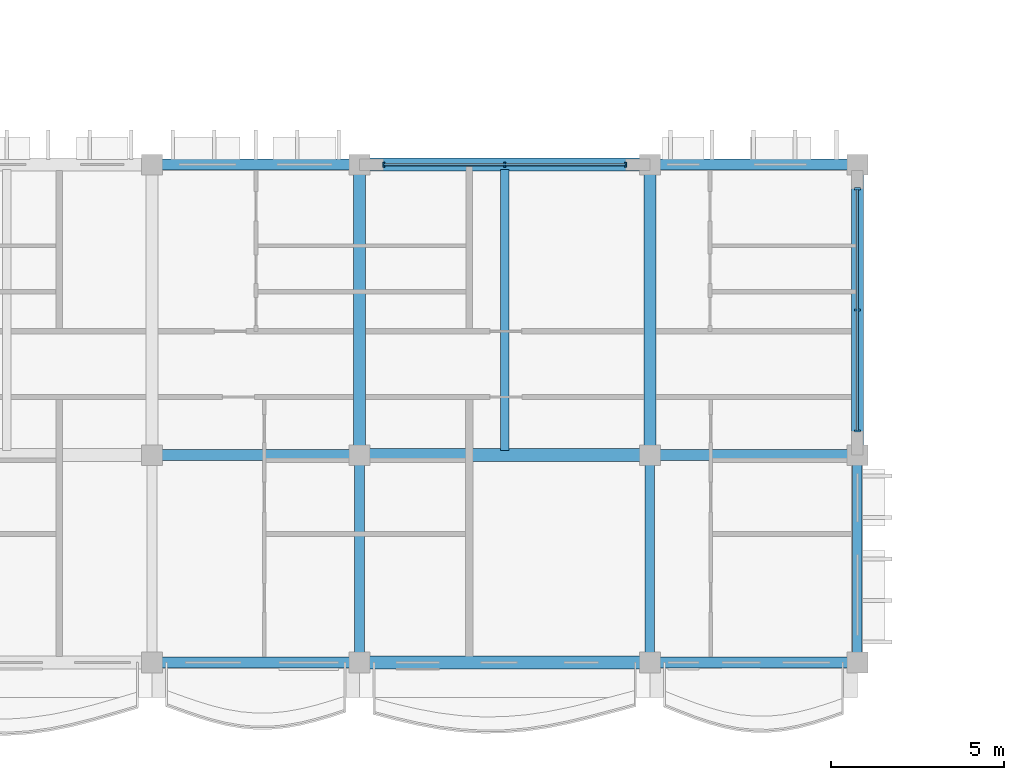
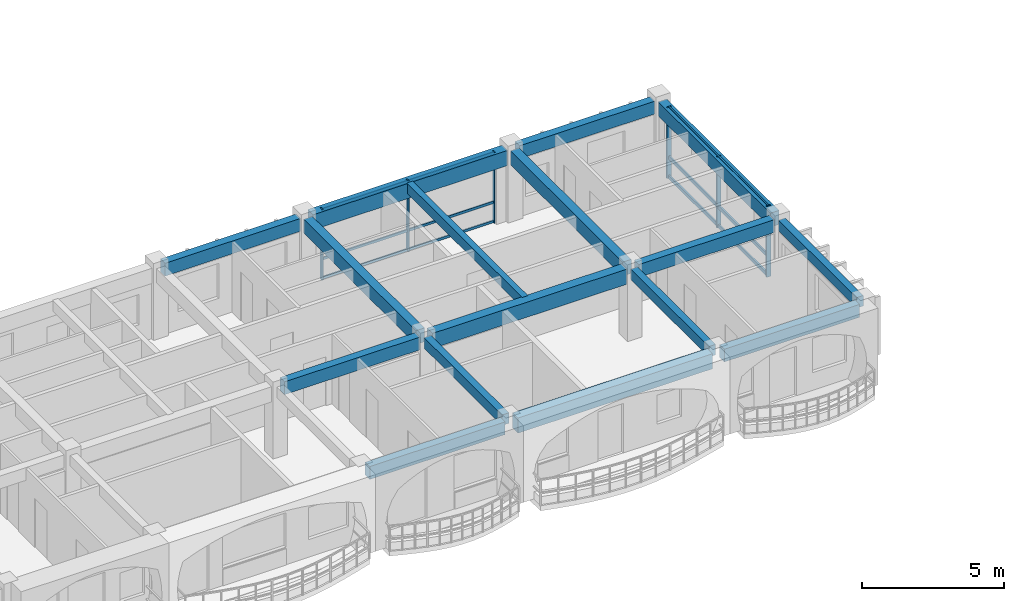
# One storey, part 6 of 79: 16 beams, 12 members, 2 elements without a shape of their own.
"""IFC4 building model written with IfcOpenShell, lengths in metres."""

from ifc_helpers import new_model, si_unit, direction, frame, origin, origin_2d, place, context, subcontext, project, spatial, rectangle, extrude, material, material_profile, profile_set, type_object, element, aggregate, save


model = new_model("IFC4")

# Units and contexts
model_context = context("Model", 3, precision=1e-05, world=origin(), true_north=direction((0.0, 1.0)))
body_context = subcontext(model_context, "Body", "Model", "MODEL_VIEW")
ifc_project = project(units=[si_unit("LENGTHUNIT", "METRE"), si_unit("AREAUNIT", "SQUARE_METRE"), si_unit("VOLUMEUNIT", "CUBIC_METRE"), si_unit("PLANEANGLEUNIT", "RADIAN"), si_unit("MASSUNIT", "GRAM", prefix="KILO"), si_unit("THERMODYNAMICTEMPERATUREUNIT", "KELVIN")], contexts=[model_context])

# Site, building, storey
site_placement = place(None, origin())
site = spatial("IfcSite", under=ifc_project, at=site_placement, CompositionType="ELEMENT")
building_placement = place(site_placement, origin())
building = spatial("IfcBuilding", under=site, at=building_placement, Name="Thalorik Housing Commons", CompositionType="ELEMENT")
storey_placement = place(building_placement, frame((0.0, 0.0, 11.39990234375)))
storey = spatial("IfcBuildingStorey", under=building, at=storey_placement, Name="L03", CompositionType="ELEMENT", Elevation=11.39990234375)

# Curtain wall, members
ifc_material_1 = material(Name="Anodised aluminium and solar-control low-E glass", Category="aluminium")
curtain_wall_type = type_object("IfcCurtainWallType", Name="ARC-CW-LOUNGE", PredefinedType="USERDEFINED", material=ifc_material_1)
curtain_wall_1_placement = place(storey_placement, origin())
curtain_wall_1 = element("IfcCurtainWall", 1, at=curtain_wall_1_placement, inside=storey, type_object=curtain_wall_type, Name="L03 Curtain Wall CW-RES-L03-C-143", ObjectType="CURTAIN WALL", PredefinedType="USERDEFINED")
ifc_material_2 = material(Name="Anodised aluminium 6063-T6", Category="aluminium")
ifc_material_profile_1 = material_profile(ifc_material_2, rectangle(XDim=0.054931640625, YDim=0.139892578125, at=origin_2d()), Name="ALU MUL 55x140", Category="aluminium")
ifc_profile_set_1 = profile_set([ifc_material_profile_1], Name="Anodised aluminium 6063-T6")
member_type_1 = type_object("IfcMemberType", Name="ARC-CW-MUL-55x140", PredefinedType="MULLION", material=ifc_profile_set_1)
member_1_placement = place(storey_placement, frame((50.89990234375, 22.800048828125, 0.0), z_axis=(0.0, 0.0, 1.0), x_axis=(-1.0, 0.0, 0.0)))
member_1 = element("IfcMember", 2, at=member_1_placement, type_object=member_type_1, Name="CW-RES-L03-C-143 Mullion 1", PredefinedType="MULLION", context=body_context, shape_type="SweptSolid", body=[
    extrude(rectangle(XDim=0.054931640625, YDim=0.139892578125, at=origin_2d()), origin(), (0.0, 0.0, 1.0), 3.0400390625),
])
member_2_placement = place(storey_placement, frame((47.39990234375, 22.800048828125, 0.0), z_axis=(0.0, 0.0, 1.0), x_axis=(-1.0, 0.0, 0.0)))
member_2 = element("IfcMember", 3, at=member_2_placement, type_object=member_type_1, Name="CW-RES-L03-C-143 Mullion 2", PredefinedType="MULLION", context=body_context, shape_type="SweptSolid", body=[
    extrude(rectangle(XDim=0.054931640625, YDim=0.139892578125, at=origin_2d()), origin(), (0.0, 0.0, 1.0), 3.0400390625),
])
member_3_placement = place(storey_placement, frame((43.89990234375, 22.800048828125, 0.0), z_axis=(0.0, 0.0, 1.0), x_axis=(-1.0, 0.0, 0.0)))
member_3 = element("IfcMember", 4, at=member_3_placement, type_object=member_type_1, Name="CW-RES-L03-C-143 Mullion 3", PredefinedType="MULLION", context=body_context, shape_type="SweptSolid", body=[
    extrude(rectangle(XDim=0.054931640625, YDim=0.139892578125, at=origin_2d()), origin(), (0.0, 0.0, 1.0), 3.0400390625),
])

curtain_wall_2_placement = place(storey_placement, origin())
curtain_wall_2 = element("IfcCurtainWall", 5, at=curtain_wall_2_placement, inside=storey, type_object=curtain_wall_type, Name="L03 Curtain Wall CW-RES-L03-C-142", ObjectType="CURTAIN WALL", PredefinedType="USERDEFINED")
ifc_material_profile_2 = material_profile(ifc_material_2, rectangle(XDim=0.06494140625, YDim=0.179931640625, at=origin_2d()), Name="ALU MUL 65x180", Category="aluminium")
ifc_profile_set_2 = profile_set([ifc_material_profile_2], Name="Anodised aluminium 6063-T6")
member_type_2 = type_object("IfcMemberType", Name="ARC-CW-MUL-65x180", PredefinedType="MULLION", material=ifc_profile_set_2)
member_4_placement = place(storey_placement, frame((57.60009765625, 15.10009765625, 0.0), z_axis=(0.0, 0.0, 1.0), x_axis=(0.0, 1.0, 0.0)))
member_4 = element("IfcMember", 6, at=member_4_placement, type_object=member_type_2, Name="CW-RES-L03-C-142 Mullion 1", PredefinedType="MULLION", context=body_context, shape_type="SweptSolid", body=[
    extrude(rectangle(XDim=0.06494140625, YDim=0.179931640625, at=origin_2d()), origin(), (0.0, 0.0, 1.0), 3.0400390625),
])
member_5_placement = place(storey_placement, frame((57.60009765625, 18.60009765625, 0.0), z_axis=(0.0, 0.0, 1.0), x_axis=(0.0, 1.0, 0.0)))
member_5 = element("IfcMember", 7, at=member_5_placement, type_object=member_type_2, Name="CW-RES-L03-C-142 Mullion 2", PredefinedType="MULLION", context=body_context, shape_type="SweptSolid", body=[
    extrude(rectangle(XDim=0.06494140625, YDim=0.179931640625, at=origin_2d()), origin(), (0.0, 0.0, 1.0), 3.0400390625),
])
member_6_placement = place(storey_placement, frame((57.60009765625, 22.10009765625, 0.0), z_axis=(0.0, 0.0, 1.0), x_axis=(0.0, 1.0, 0.0)))
member_6 = element("IfcMember", 8, at=member_6_placement, type_object=member_type_2, Name="CW-RES-L03-C-142 Mullion 3", PredefinedType="MULLION", context=body_context, shape_type="SweptSolid", body=[
    extrude(rectangle(XDim=0.06494140625, YDim=0.179931640625, at=origin_2d()), origin(), (0.0, 0.0, 1.0), 3.0400390625),
])

# Member
ifc_material_profile_3 = material_profile(ifc_material_2, rectangle(XDim=0.054931640625, YDim=0.10498046875, at=origin_2d()), Name="ALU TRN 55x105", Category="aluminium")
ifc_profile_set_3 = profile_set([ifc_material_profile_3], Name="Anodised aluminium 6063-T6")
member_type_3 = type_object("IfcMemberType", Name="ARC-CW-TRN-55x105", PredefinedType="USERDEFINED", material=ifc_profile_set_3)
member_7_placement = place(storey_placement, frame((50.89990234375, 22.800048828125, 0.05517578125), z_axis=(-1.0, 0.0, 0.0), x_axis=(0.0, -1.0, 0.0)))
member_7 = element("IfcMember", 9, at=member_7_placement, type_object=member_type_3, Name="CW-RES-L03-C-143 Transom 1", ObjectType="TRANSOM", PredefinedType="USERDEFINED", context=body_context, shape_type="SweptSolid", body=[
    extrude(rectangle(XDim=0.054931640625, YDim=0.10498046875, at=origin_2d()), origin(), (0.0, 0.0, 1.0), 7.0),
])

member_8_placement = place(storey_placement, frame((50.89990234375, 22.800048828125, 0.880126953125), z_axis=(-1.0, 0.0, 0.0), x_axis=(0.0, -1.0, 0.0)))
member_8 = element("IfcMember", 10, at=member_8_placement, type_object=member_type_3, Name="CW-RES-L03-C-143 Transom 2", ObjectType="TRANSOM", PredefinedType="USERDEFINED", context=body_context, shape_type="SweptSolid", body=[
    extrude(rectangle(XDim=0.054931640625, YDim=0.10498046875, at=origin_2d()), origin(), (0.0, 0.0, 1.0), 7.0),
])

member_9_placement = place(storey_placement, frame((50.89990234375, 22.800048828125, 2.985107421875), z_axis=(-1.0, 0.0, 0.0), x_axis=(0.0, -1.0, 0.0)))
member_9 = element("IfcMember", 11, at=member_9_placement, type_object=member_type_3, Name="CW-RES-L03-C-143 Transom 3", ObjectType="TRANSOM", PredefinedType="USERDEFINED", context=body_context, shape_type="SweptSolid", body=[
    extrude(rectangle(XDim=0.054931640625, YDim=0.10498046875, at=origin_2d()), origin(), (0.0, 0.0, 1.0), 7.0),
])

aggregate(curtain_wall_1, [member_1, member_2, member_3, member_7, member_8, member_9])

ifc_material_profile_4 = material_profile(ifc_material_2, rectangle(XDim=0.06494140625, YDim=0.14990234375, at=origin_2d()), Name="ALU TRN 65x150", Category="aluminium")
ifc_profile_set_4 = profile_set([ifc_material_profile_4], Name="Anodised aluminium 6063-T6")
member_type_4 = type_object("IfcMemberType", Name="ARC-CW-TRN-65x150", PredefinedType="USERDEFINED", material=ifc_profile_set_4)
member_10_placement = place(storey_placement, frame((57.60009765625, 15.10009765625, 0.05517578125), z_axis=(0.0, 1.0, 0.0), x_axis=(-1.0, 0.0, 0.0)))
member_10 = element("IfcMember", 12, at=member_10_placement, type_object=member_type_4, Name="CW-RES-L03-C-142 Transom 1", ObjectType="TRANSOM", PredefinedType="USERDEFINED", context=body_context, shape_type="SweptSolid", body=[
    extrude(rectangle(XDim=0.06494140625, YDim=0.14990234375, at=origin_2d()), origin(), (0.0, 0.0, 1.0), 7.0),
])

member_11_placement = place(storey_placement, frame((57.60009765625, 15.10009765625, 0.880126953125), z_axis=(0.0, 1.0, 0.0), x_axis=(-1.0, 0.0, 0.0)))
member_11 = element("IfcMember", 13, at=member_11_placement, type_object=member_type_4, Name="CW-RES-L03-C-142 Transom 2", ObjectType="TRANSOM", PredefinedType="USERDEFINED", context=body_context, shape_type="SweptSolid", body=[
    extrude(rectangle(XDim=0.06494140625, YDim=0.14990234375, at=origin_2d()), origin(), (0.0, 0.0, 1.0), 7.0),
])

member_12_placement = place(storey_placement, frame((57.60009765625, 15.10009765625, 2.985107421875), z_axis=(0.0, 1.0, 0.0), x_axis=(-1.0, 0.0, 0.0)))
member_12 = element("IfcMember", 14, at=member_12_placement, type_object=member_type_4, Name="CW-RES-L03-C-142 Transom 3", ObjectType="TRANSOM", PredefinedType="USERDEFINED", context=body_context, shape_type="SweptSolid", body=[
    extrude(rectangle(XDim=0.06494140625, YDim=0.14990234375, at=origin_2d()), origin(), (0.0, 0.0, 1.0), 7.0),
])

aggregate(curtain_wall_2, [member_4, member_5, member_6, member_10, member_11, member_12])

# Beams
ifc_material_3 = material(Name="Precast concrete C40/50", Category="concrete")
ifc_material_profile_5 = material_profile(ifc_material_3, rectangle(XDim=0.280029296875, YDim=0.449951171875, at=origin_2d()), Name="PC 280x450", Category="concrete")
ifc_profile_set_5 = profile_set([ifc_material_profile_5], Name="Precast concrete C40/50")
beam_type_1 = type_object("IfcBeamType", Name="STR-BM-PC280x450", PredefinedType="BEAM", material=ifc_profile_set_5)
for number, where, z_axis, x_axis, name in (
    (15, (43.199951171875, 8.64990234375, 2.815185546875), (0.0, 1.0, 0.0), (-1.0, 0.0, 0.0), "L03 Beam B-450"),
    (16, (51.60009765625, 8.64990234375, 2.815185546875), (0.0, 1.0, 0.0), (-1.0, 0.0, 0.0), "L03 Beam B-450"),
    (17, (57.60009765625, 8.64990234375, 2.815185546875), (0.0, 1.0, 0.0), (-1.0, 0.0, 0.0), "L03 Beam B-450"),
):
    element("IfcBeam", number, at=place(storey_placement, frame(where, z_axis=z_axis, x_axis=x_axis)), inside=storey, type_object=beam_type_1, Name=name, PredefinedType="BEAM", context=body_context, shape_type="SweptSolid", body=[
        extrude(rectangle(XDim=0.280029296875, YDim=0.449951171875, at=origin_2d()), origin(), (0.0, 0.0, 1.0), 5.5),
    ])
ifc_material_profile_6 = material_profile(ifc_material_3, rectangle(XDim=0.320068359375, YDim=0.550048828125, at=origin_2d()), Name="PC 320x550", Category="concrete")
ifc_profile_set_6 = profile_set([ifc_material_profile_6], Name="Precast concrete C40/50")
beam_type_2 = type_object("IfcBeamType", Name="STR-BM-PC320x550", PredefinedType="BEAM", material=ifc_profile_set_6)
for number, where, z_axis, x_axis, name in (
    (18, (37.449951171875, 8.39990234375, 2.76513671875), (1.0, 0.0, 0.0), (0.0, 1.0, 0.0), "L03 Beam B-550"),
    (19, (51.85009765625, 8.39990234375, 2.76513671875), (1.0, 0.0, 0.0), (0.0, 1.0, 0.0), "L03 Beam B-550"),
    (20, (37.449951171875, 14.39990234375, 2.76513671875), (1.0, 0.0, 0.0), (0.0, 1.0, 0.0), "L03 Beam B-550"),
    (21, (51.85009765625, 14.39990234375, 2.76513671875), (1.0, 0.0, 0.0), (0.0, 1.0, 0.0), "L03 Beam B-550"),
    (22, (37.449951171875, 22.800048828125, 2.76513671875), (1.0, 0.0, 0.0), (0.0, 1.0, 0.0), "L03 Beam B-550"),
    (23, (51.85009765625, 22.800048828125, 2.76513671875), (1.0, 0.0, 0.0), (0.0, 1.0, 0.0), "L03 Beam B-550"),
):
    element("IfcBeam", number, at=place(storey_placement, frame(where, z_axis=z_axis, x_axis=x_axis)), inside=storey, type_object=beam_type_2, Name=name, PredefinedType="BEAM", context=body_context, shape_type="SweptSolid", body=[
        extrude(rectangle(XDim=0.320068359375, YDim=0.550048828125, at=origin_2d()), origin(), (0.0, 0.0, 1.0), 5.5),
    ])
ifc_material_profile_7 = material_profile(ifc_material_3, rectangle(XDim=0.35009765625, YDim=0.60009765625, at=origin_2d()), Name="PC 350x600", Category="concrete")
ifc_profile_set_7 = profile_set([ifc_material_profile_7], Name="Precast concrete C40/50")
beam_type_3 = type_object("IfcBeamType", Name="STR-BM-PC350x600", PredefinedType="BEAM", material=ifc_profile_set_7)
for number, where, z_axis, x_axis, name in (
    (24, (43.199951171875, 14.64990234375, 2.739990234375), (0.0, 1.0, 0.0), (-1.0, 0.0, 0.0), "L03 Beam B-600"),
    (25, (51.60009765625, 14.64990234375, 2.739990234375), (0.0, 1.0, 0.0), (-1.0, 0.0, 0.0), "L03 Beam B-600"),
    (26, (57.60009765625, 14.64990234375, 2.739990234375), (0.0, 1.0, 0.0), (-1.0, 0.0, 0.0), "L03 Beam B-600"),
):
    element("IfcBeam", number, at=place(storey_placement, frame(where, z_axis=z_axis, x_axis=x_axis)), inside=storey, type_object=beam_type_3, Name=name, PredefinedType="BEAM", context=body_context, shape_type="SweptSolid", body=[
        extrude(rectangle(XDim=0.35009765625, YDim=0.60009765625, at=origin_2d()), origin(), (0.0, 0.0, 1.0), 7.900146484375),
    ])
ifc_material_profile_8 = material_profile(ifc_material_3, rectangle(XDim=0.3798828125, YDim=0.64990234375, at=origin_2d()), Name="PC 380x650", Category="concrete")
ifc_profile_set_8 = profile_set([ifc_material_profile_8], Name="Precast concrete C40/50")
beam_type_4 = type_object("IfcBeamType", Name="STR-BM-PC380x650", PredefinedType="BEAM", material=ifc_profile_set_8)
for number, where, z_axis, x_axis, name in (
    (27, (43.449951171875, 8.39990234375, 2.715087890625), (1.0, 0.0, 0.0), (0.0, 1.0, 0.0), "L03 Beam B-650"),
    (28, (43.449951171875, 14.39990234375, 2.715087890625), (1.0, 0.0, 0.0), (0.0, 1.0, 0.0), "L03 Beam B-650"),
    (29, (43.449951171875, 22.800048828125, 2.715087890625), (1.0, 0.0, 0.0), (0.0, 1.0, 0.0), "L03 Beam B-650"),
):
    element("IfcBeam", number, at=place(storey_placement, frame(where, z_axis=z_axis, x_axis=x_axis)), inside=storey, type_object=beam_type_4, Name=name, PredefinedType="BEAM", context=body_context, shape_type="SweptSolid", body=[
        extrude(rectangle(XDim=0.3798828125, YDim=0.64990234375, at=origin_2d()), origin(), (0.0, 0.0, 1.0), 7.900146484375),
    ])
ifc_material_profile_9 = material_profile(ifc_material_3, rectangle(XDim=0.239990234375, YDim=0.43994140625, at=origin_2d()), Name="PC JST 240x440", Category="concrete")
ifc_profile_set_9 = profile_set([ifc_material_profile_9], Name="Precast concrete C40/50")
beam_type_5 = type_object("IfcBeamType", Name="STR-JST-PC240x440", PredefinedType="JOIST", material=ifc_profile_set_9)
beam_placement = place(storey_placement, frame((47.39990234375, 14.5400390625, 2.820068359375), z_axis=(0.0, 1.0, 0.0), x_axis=(-1.0, 0.0, 0.0)))
element("IfcBeam", 30, at=beam_placement, inside=storey, type_object=beam_type_5, Name="L03 Beam J-440", PredefinedType="JOIST", context=body_context, shape_type="SweptSolid", body=[
    extrude(rectangle(XDim=0.239990234375, YDim=0.43994140625, at=origin_2d()), origin(), (0.0, 0.0, 1.0), 8.119873046875),
])

save(model, "model.ifc")
